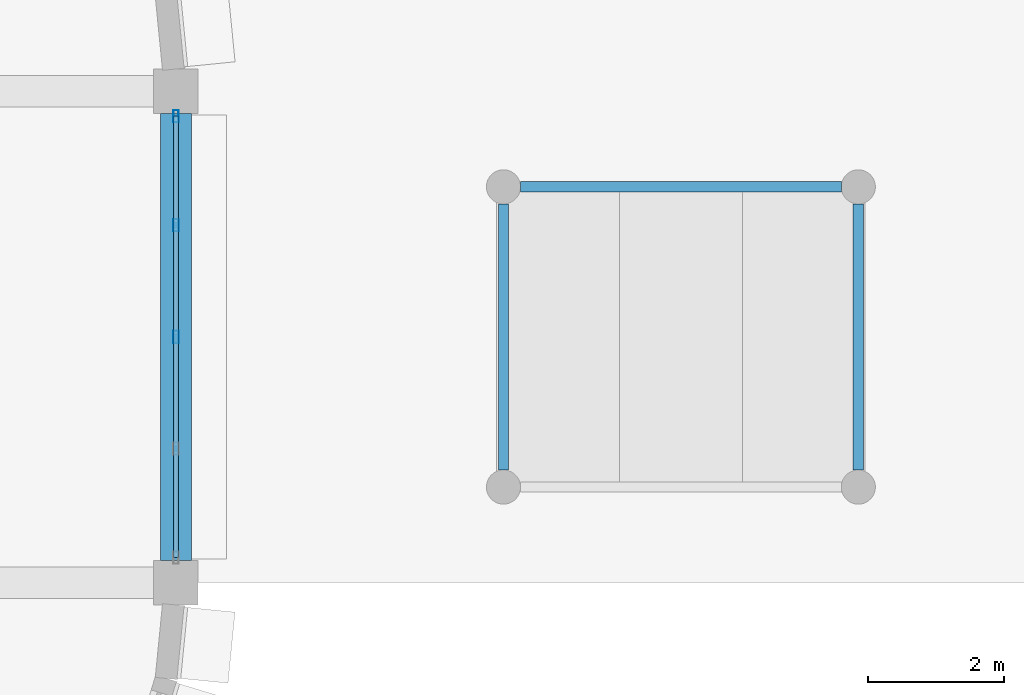
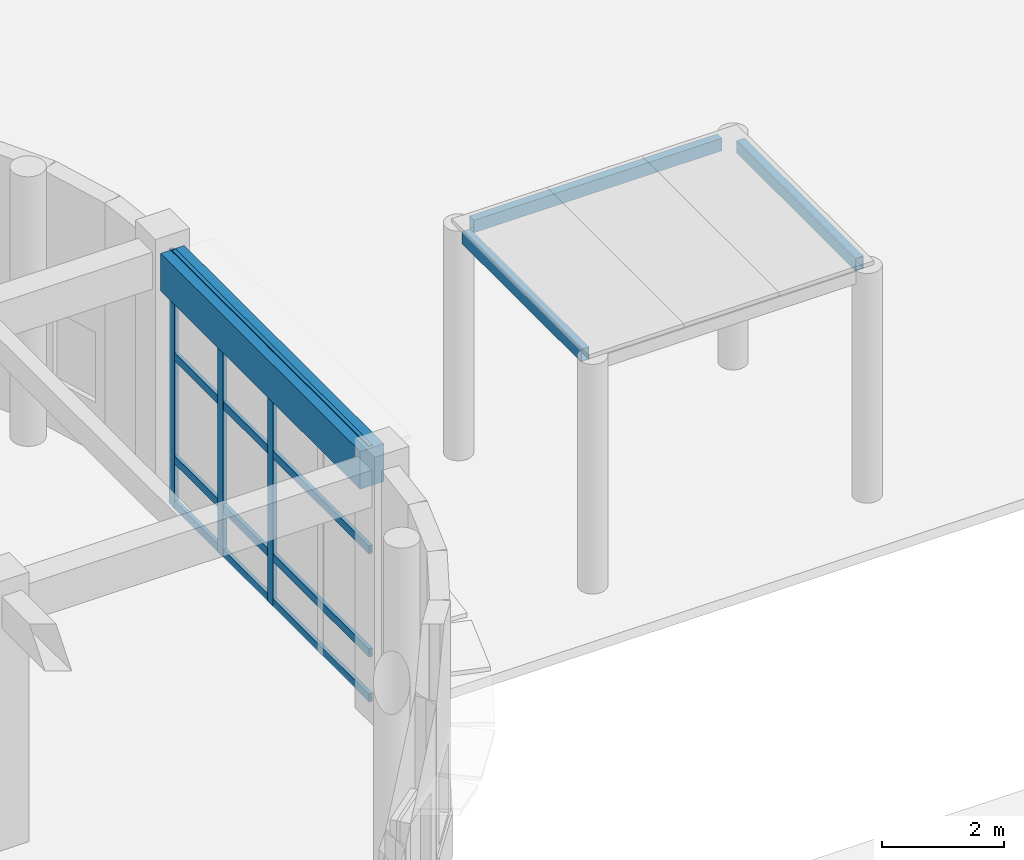
# One storey, part 73 of 160: 7 members, 4 beams, 1 element without a shape of its own.
"""IFC4 building model written with IfcOpenShell, lengths in metres."""

from ifc_helpers import new_model, si_unit, direction, frame, origin, origin_2d, place, context, subcontext, project, spatial, rectangle, hollow_rectangle, extrude, material, material_profile, profile_set, type_object, element, aggregate, save


model = new_model("IFC4")

# Units and contexts
model_context = context("Model", 3, precision=1e-05, world=origin(), true_north=direction((0.0, 1.0)))
body_context = subcontext(model_context, "Body", "Model", "MODEL_VIEW")
ifc_project = project(units=[si_unit("LENGTHUNIT", "METRE"), si_unit("AREAUNIT", "SQUARE_METRE"), si_unit("VOLUMEUNIT", "CUBIC_METRE"), si_unit("PLANEANGLEUNIT", "RADIAN"), si_unit("MASSUNIT", "GRAM", prefix="KILO")], contexts=[model_context])

# Site, building, storey
site_placement = place(None, origin())
site = spatial("IfcSite", under=ifc_project, at=site_placement, CompositionType="ELEMENT")
building_placement = place(site_placement, origin())
building = spatial("IfcBuilding", under=site, at=building_placement, Name="Thalmaran Polytechnic", CompositionType="ELEMENT")
storey_placement = place(building_placement, origin())
storey = spatial("IfcBuildingStorey", under=building, at=storey_placement, Name="L00", CompositionType="ELEMENT", Elevation=0.0)

# Beams
ifc_material_1 = material(Name="Steel S355", Category="steel")
ifc_material_profile_1 = material_profile(ifc_material_1, hollow_rectangle(XDim=0.14990234375, YDim=0.25, WallThickness=0.010009765625, at=origin_2d()), Name="RHS 250x150x10.0")
ifc_profile_set_1 = profile_set([ifc_material_profile_1], Name="Steel S355")
beam_type_1 = type_object("IfcBeamType", Name="BM-CN02", PredefinedType="BEAM", material=ifc_profile_set_1)
for number, where, z_axis, x_axis, name in (
    (1, (98.39990234375, 59.25, 4.47509765625), (0.0, 1.0, 0.0), (-1.0, 0.0, 0.0), "Court Canopy Transverse Beam 0"),
    (2, (103.60009765625, 59.25, 4.47509765625), (0.0, 1.0, 0.0), (-1.0, 0.0, 0.0), "Court Canopy Transverse Beam 1"),
):
    element("IfcBeam", number, at=place(storey_placement, frame(where, z_axis=z_axis, x_axis=x_axis)), inside=storey, type_object=beam_type_1, Name=name, PredefinedType="BEAM", context=body_context, shape_type="SweptSolid", body=[
        extrude(hollow_rectangle(XDim=0.14990234375, YDim=0.25, WallThickness=0.010009765625, at=origin_2d()), origin(), (0.0, 0.0, 1.0), 3.89990234375),
    ])
beam_1_placement = place(storey_placement, frame((98.64990234375, 63.39990234375, 4.47509765625), z_axis=(1.0, 0.0, 0.0), x_axis=(0.0, 1.0, 0.0)))
element("IfcBeam", 3, at=beam_1_placement, inside=storey, type_object=beam_type_1, Name="Court Canopy Longitudinal Beam 63", PredefinedType="BEAM", context=body_context, shape_type="SweptSolid", body=[
    extrude(hollow_rectangle(XDim=0.14990234375, YDim=0.25, WallThickness=0.010009765625, at=origin_2d()), origin(), (0.0, 0.0, 1.0), 4.7001953125),
])
ifc_material_2 = material(Name="Concrete C40/50", Category="concrete")
ifc_material_profile_2 = material_profile(ifc_material_2, rectangle(XDim=0.449951171875, YDim=0.7548828125, at=origin_2d()), Name="RC 450x755")
ifc_profile_set_2 = profile_set([ifc_material_profile_2], Name="Concrete C40/50")
beam_type_2 = type_object("IfcBeamType", Name="BM-SP02", PredefinedType="SPANDREL", material=ifc_profile_set_2)
beam_2_placement = place(storey_placement, frame((93.60009765625, 57.925048828125, 4.71240234375), z_axis=(0.0, 1.0, 0.0), x_axis=(-1.0, 0.0, 0.0)))
element("IfcBeam", 4, at=beam_2_placement, inside=storey, type_object=beam_type_2, Name="Grid Beam SP02 L00 Y(13,8)", PredefinedType="SPANDREL", context=body_context, shape_type="SweptSolid", body=[
    extrude(rectangle(XDim=0.449951171875, YDim=0.7548828125, at=origin_2d()), origin(), (0.0, 0.0, 1.0), 6.550048828125),
])

# Curtain wall, members
ifc_material_3 = material(Name="Aluminium 6063-T6", Category="aluminium")
curtain_wall_type = type_object("IfcCurtainWallType", Name="CW-SC01", PredefinedType="USERDEFINED", material=ifc_material_3)
curtain_wall_placement = place(storey_placement, origin())
curtain_wall = element("IfcCurtainWall", 5, at=curtain_wall_placement, inside=storey, type_object=curtain_wall_type, Name="Curtain Wall CW-L00-035", ObjectType="STICK CURTAIN WALL", PredefinedType="USERDEFINED")
ifc_material_profile_3 = material_profile(ifc_material_3, hollow_rectangle(XDim=0.080078125, YDim=0.179931640625, WallThickness=0.0048828125, at=origin_2d()), Name="RHS 180x80x5.0")
ifc_profile_set_3 = profile_set([ifc_material_profile_3], Name="Aluminium 6063-T6")
member_type_1 = type_object("IfcMemberType", Name="CW-MUL1", PredefinedType="MULLION", material=ifc_profile_set_3)
member_1_placement = place(storey_placement, frame((93.60009765625, 64.43505859375, 0.0), z_axis=(0.0, 0.0, 1.0), x_axis=(1.0, 0.0, 0.0)))
member_1 = element("IfcMember", 6, at=member_1_placement, type_object=member_type_1, Name="CW-L00-035 Mullion 1", PredefinedType="MULLION", context=body_context, shape_type="SweptSolid", body=[
    extrude(hollow_rectangle(XDim=0.080078125, YDim=0.179931640625, WallThickness=0.0048828125, at=origin_2d()), origin(), (0.0, 0.0, 1.0), 5.090087890625),
])
member_2_placement = place(storey_placement, frame((93.60009765625, 62.83740234375, 0.0), z_axis=(0.0, 0.0, 1.0), x_axis=(1.0, 0.0, 0.0)))
member_2 = element("IfcMember", 7, at=member_2_placement, type_object=member_type_1, Name="CW-L00-035 Mullion 2", PredefinedType="MULLION", context=body_context, shape_type="SweptSolid", body=[
    extrude(hollow_rectangle(XDim=0.080078125, YDim=0.179931640625, WallThickness=0.0048828125, at=origin_2d()), origin(), (0.0, 0.0, 1.0), 5.090087890625),
])
member_3_placement = place(storey_placement, frame((93.60009765625, 61.199951171875, 0.0), z_axis=(0.0, 0.0, 1.0), x_axis=(1.0, 0.0, 0.0)))
member_3 = element("IfcMember", 8, at=member_3_placement, type_object=member_type_1, Name="CW-L00-035 Mullion 3", PredefinedType="MULLION", context=body_context, shape_type="SweptSolid", body=[
    extrude(hollow_rectangle(XDim=0.080078125, YDim=0.179931640625, WallThickness=0.0048828125, at=origin_2d()), origin(), (0.0, 0.0, 1.0), 5.090087890625),
])
ifc_material_profile_4 = material_profile(ifc_material_3, hollow_rectangle(XDim=0.070068359375, YDim=0.159912109375, WallThickness=0.00390625, at=origin_2d()), Name="AL 160x70x4.0")
ifc_profile_set_4 = profile_set([ifc_material_profile_4], Name="Aluminium 6063-T6")
member_type_2 = type_object("IfcMemberType", Name="CW-TRN1", PredefinedType="USERDEFINED", material=ifc_profile_set_4)
member_4_placement = place(storey_placement, frame((93.60009765625, 64.43505859375, 0.06005859375), z_axis=(0.0, -1.0, 0.0), x_axis=(1.0, 0.0, 0.0)))
member_4 = element("IfcMember", 9, at=member_4_placement, type_object=member_type_2, Name="CW-L00-035 Transom 1", ObjectType="TRANSOM", PredefinedType="USERDEFINED", context=body_context, shape_type="SweptSolid", body=[
    extrude(hollow_rectangle(XDim=0.070068359375, YDim=0.159912109375, WallThickness=0.00390625, at=origin_2d()), origin(), (0.0, 0.0, 1.0), 6.469970703125),
])
member_5_placement = place(storey_placement, frame((93.60009765625, 64.43505859375, 0.9599609375), z_axis=(0.0, -1.0, 0.0), x_axis=(1.0, 0.0, 0.0)))
member_5 = element("IfcMember", 10, at=member_5_placement, type_object=member_type_2, Name="CW-L00-035 Transom 2", ObjectType="TRANSOM", PredefinedType="USERDEFINED", context=body_context, shape_type="SweptSolid", body=[
    extrude(hollow_rectangle(XDim=0.070068359375, YDim=0.159912109375, WallThickness=0.00390625, at=origin_2d()), origin(), (0.0, 0.0, 1.0), 6.469970703125),
])
member_6_placement = place(storey_placement, frame((93.60009765625, 64.43505859375, 3.02490234375), z_axis=(0.0, -1.0, 0.0), x_axis=(1.0, 0.0, 0.0)))
member_6 = element("IfcMember", 11, at=member_6_placement, type_object=member_type_2, Name="CW-L00-035 Transom 3", ObjectType="TRANSOM", PredefinedType="USERDEFINED", context=body_context, shape_type="SweptSolid", body=[
    extrude(hollow_rectangle(XDim=0.070068359375, YDim=0.159912109375, WallThickness=0.00390625, at=origin_2d()), origin(), (0.0, 0.0, 1.0), 6.469970703125),
])
member_7_placement = place(storey_placement, frame((93.60009765625, 64.43505859375, 5.030029296875), z_axis=(0.0, -1.0, 0.0), x_axis=(1.0, 0.0, 0.0)))
member_7 = element("IfcMember", 12, at=member_7_placement, type_object=member_type_2, Name="CW-L00-035 Transom 4", ObjectType="TRANSOM", PredefinedType="USERDEFINED", context=body_context, shape_type="SweptSolid", body=[
    extrude(hollow_rectangle(XDim=0.070068359375, YDim=0.159912109375, WallThickness=0.00390625, at=origin_2d()), origin(), (0.0, 0.0, 1.0), 6.469970703125),
])
aggregate(curtain_wall, [member_1, member_2, member_3, member_4, member_5, member_6, member_7])

save(model, "model.ifc")
